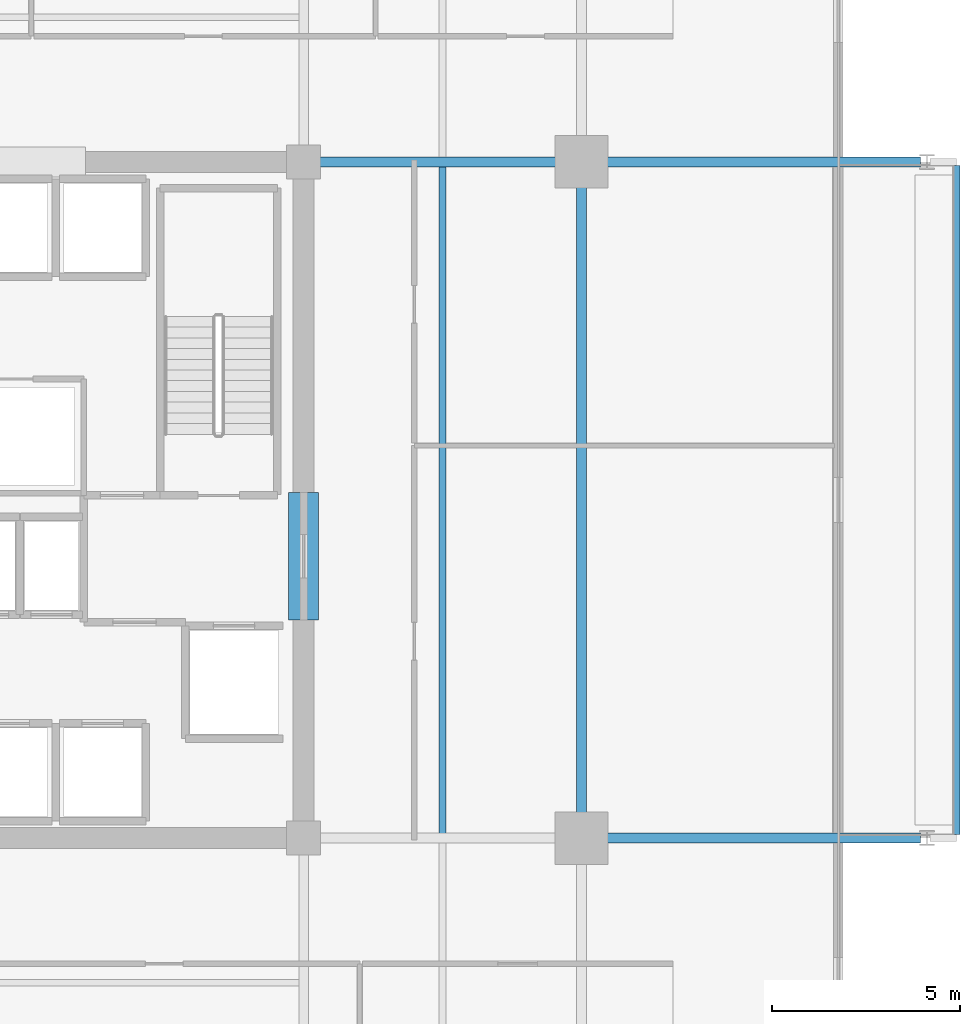
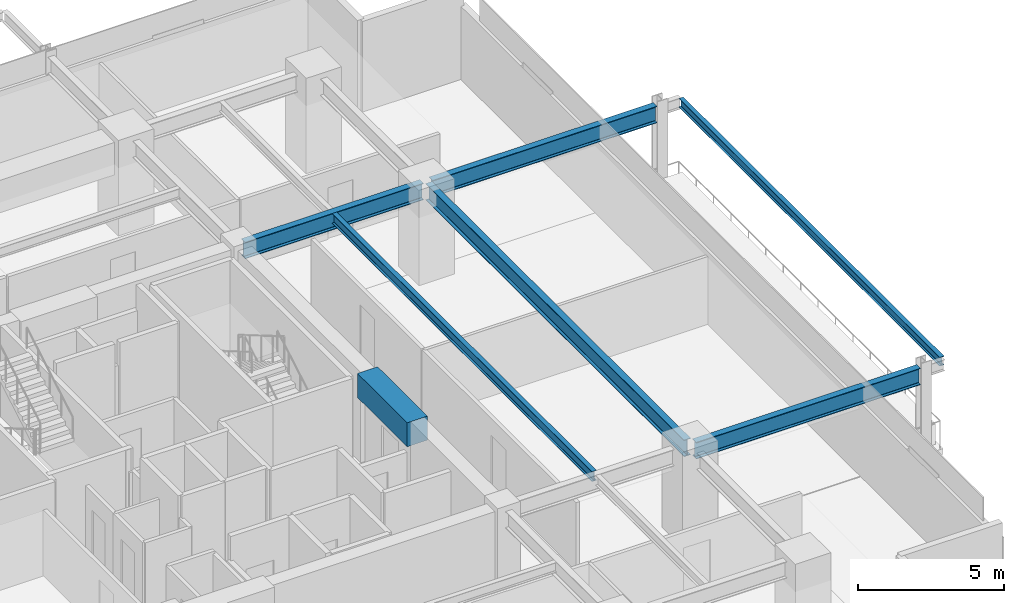
# One storey, part 10 of 20: 7 beams.
"""IFC4 building model written with IfcOpenShell, lengths in metres."""

from ifc_helpers import new_model, si_unit, direction, frame, origin, origin_2d, place, context, subcontext, project, spatial, rectangle, i_section, extrude, material, material_profile, profile_set, type_object, element, save


model = new_model("IFC4")

# Units and contexts
model_context = context("Model", 3, precision=1e-05, world=origin(), true_north=direction((0.0, 1.0)))
body_context = subcontext(model_context, "Body", "Model", "MODEL_VIEW")
ifc_project = project(units=[si_unit("LENGTHUNIT", "METRE"), si_unit("AREAUNIT", "SQUARE_METRE"), si_unit("VOLUMEUNIT", "CUBIC_METRE"), si_unit("PLANEANGLEUNIT", "RADIAN"), si_unit("MASSUNIT", "GRAM", prefix="KILO")], contexts=[model_context])

# Site, building, storey
site_placement = place(None, origin())
site = spatial("IfcSite", under=ifc_project, at=site_placement, CompositionType="ELEMENT")
building_placement = place(site_placement, origin())
building = spatial("IfcBuilding", under=site, at=building_placement, Name="Kovane Verandah Tower", CompositionType="ELEMENT")
storey_placement = place(building_placement, frame((0.0, 0.0, 213.199951171875)))
storey = spatial("IfcBuildingStorey", under=building, at=storey_placement, Name="L49", CompositionType="ELEMENT", Elevation=213.199951171875)

# Beams
ifc_material_1 = material(Name="Concrete C60/75", Category="concrete")
ifc_material_profile_1 = material_profile(ifc_material_1, rectangle(XDim=0.800048828125, YDim=1.0, at=origin_2d()), Name="RCB800x1000")
ifc_profile_set_1 = profile_set([ifc_material_profile_1], Name="Concrete C60/75")
beam_type_1 = type_object("IfcBeamType", Name="BM-LINTEL-800x1000", PredefinedType="LINTEL", material=ifc_profile_set_1)
beam_1_placement = place(storey_placement, frame((51.0, 24.300048828125, 3.275146484375), z_axis=(0.0, 1.0, 0.0), x_axis=(-1.0, 0.0, 0.0)))
element("IfcBeam", 1, at=beam_1_placement, inside=storey, type_object=beam_type_1, Name="L49 Core Coupling Lintel CL-E", PredefinedType="LINTEL", context=body_context, shape_type="SweptSolid", body=[
    extrude(rectangle(XDim=0.800048828125, YDim=1.0, at=origin_2d()), origin(), (0.0, 0.0, 1.0), 3.39990234375),
])
ifc_material_2 = material(Name="Steel S355", Category="steel")
ifc_material_profile_2 = material_profile(ifc_material_2, i_section(OverallWidth=0.255859375, OverallDepth=0.69287109375, WebThickness=0.014404296875, FlangeThickness=0.023681640625, FilletRadius=0.01513671875, at=origin_2d()), Name="UB686x254x170")
ifc_profile_set_2 = profile_set([ifc_material_profile_2], Name="Steel S355")
beam_type_2 = type_object("IfcBeamType", Name="BM-UB686x170", PredefinedType="BEAM", material=ifc_profile_set_2)
beam_2_placement = place(storey_placement, frame((58.39990234375, 18.679931640625, 3.428466796875), z_axis=(0.0, 1.0, 0.0), x_axis=(-1.0, 0.0, 0.0)))
element("IfcBeam", 2, at=beam_2_placement, inside=storey, type_object=beam_type_2, Name="L49 Primary Tower Girder G-RE2", PredefinedType="BEAM", context=body_context, shape_type="SweptSolid", body=[
    extrude(i_section(OverallWidth=0.255859375, OverallDepth=0.69287109375, WebThickness=0.014404296875, FlangeThickness=0.023681640625, FilletRadius=0.01513671875, at=origin_2d()), origin(), (0.0, 0.0, 1.0), 17.64013671875),
])
beam_3_placement = place(storey_placement, frame((51.179931640625, 36.5, 3.428466796875), z_axis=(1.0, 0.0, 0.0), x_axis=(0.0, 1.0, 0.0)))
element("IfcBeam", 3, at=beam_3_placement, inside=storey, type_object=beam_type_2, Name="L49 Primary Tower Girder G-E2", PredefinedType="BEAM", context=body_context, shape_type="SweptSolid", body=[
    extrude(i_section(OverallWidth=0.255859375, OverallDepth=0.69287109375, WebThickness=0.014404296875, FlangeThickness=0.023681640625, FilletRadius=0.01513671875, at=origin_2d()), origin(), (0.0, 0.0, 1.0), 7.0400390625),
])
for number, where, z_axis, x_axis, name in (
    (4, (58.580078125, 18.5, 3.41357421875), (1.0, 0.0, 0.0), (0.0, 1.0, 0.0), "L49 Primary Tower Girder G-VE1"),
    (5, (58.580078125, 36.5, 3.41357421875), (1.0, 0.0, 0.0), (0.0, 1.0, 0.0), "L49 Primary Tower Girder G-VE2"),
):
    element("IfcBeam", number, at=place(storey_placement, frame(where, z_axis=z_axis, x_axis=x_axis)), inside=storey, type_object=beam_type_2, Name=name, PredefinedType="BEAM", context=body_context, shape_type="SweptSolid", body=[
        extrude(i_section(OverallWidth=0.255859375, OverallDepth=0.69287109375, WebThickness=0.014404296875, FlangeThickness=0.023681640625, FilletRadius=0.01513671875, at=origin_2d()), origin(), (0.0, 0.0, 1.0), 8.83984375),
    ])
ifc_material_profile_3 = material_profile(ifc_material_2, i_section(OverallWidth=0.179443359375, OverallDepth=0.412841796875, WebThickness=0.009521484375, FlangeThickness=0.01611328125, FilletRadius=0.01025390625, at=origin_2d()), Name="UB406x178x74")
ifc_profile_set_3 = profile_set([ifc_material_profile_3], Name="Steel S355")
beam_type_3 = type_object("IfcBeamType", Name="JST-UB406x74", PredefinedType="JOIST", material=ifc_profile_set_3)
beam_4_placement = place(storey_placement, frame((54.699951171875, 18.6259765625, 3.568603515625), z_axis=(0.0, 1.0, 0.0), x_axis=(-1.0, 0.0, 0.0)))
element("IfcBeam", 6, at=beam_4_placement, inside=storey, type_object=beam_type_3, Name="L49 Secondary Composite Joist J-E1", PredefinedType="JOIST", context=body_context, shape_type="SweptSolid", body=[
    extrude(i_section(OverallWidth=0.179443359375, OverallDepth=0.412841796875, WebThickness=0.009521484375, FlangeThickness=0.01611328125, FilletRadius=0.01025390625, at=origin_2d()), origin(), (0.0, 0.0, 1.0), 17.748046875),
])
ifc_material_profile_4 = material_profile(ifc_material_2, i_section(OverallWidth=0.173095703125, OverallDepth=0.36328125, WebThickness=0.009033203125, FlangeThickness=0.015625, FilletRadius=0.01025390625, at=origin_2d()), Name="UB356x171x67")
ifc_profile_set_4 = profile_set([ifc_material_profile_4], Name="Steel S355")
beam_type_4 = type_object("IfcBeamType", Name="SPD-UB356x67", PredefinedType="USERDEFINED", material=ifc_profile_set_4)
beam_5_placement = place(storey_placement, frame((68.387451171875, 18.594482421875, 3.578369140625), z_axis=(0.0, 1.0, 0.0), x_axis=(-1.0, 0.0, 0.0)))
element("IfcBeam", 7, at=beam_5_placement, inside=storey, type_object=beam_type_4, Name="L49 East Planter Edge Spandrel", ObjectType="SPANDREL", PredefinedType="USERDEFINED", context=body_context, shape_type="SweptSolid", body=[
    extrude(i_section(OverallWidth=0.173095703125, OverallDepth=0.36328125, WebThickness=0.009033203125, FlangeThickness=0.015625, FilletRadius=0.01025390625, at=origin_2d()), origin(), (0.0, 0.0, 1.0), 17.81103515625),
])

save(model, "model.ifc")
